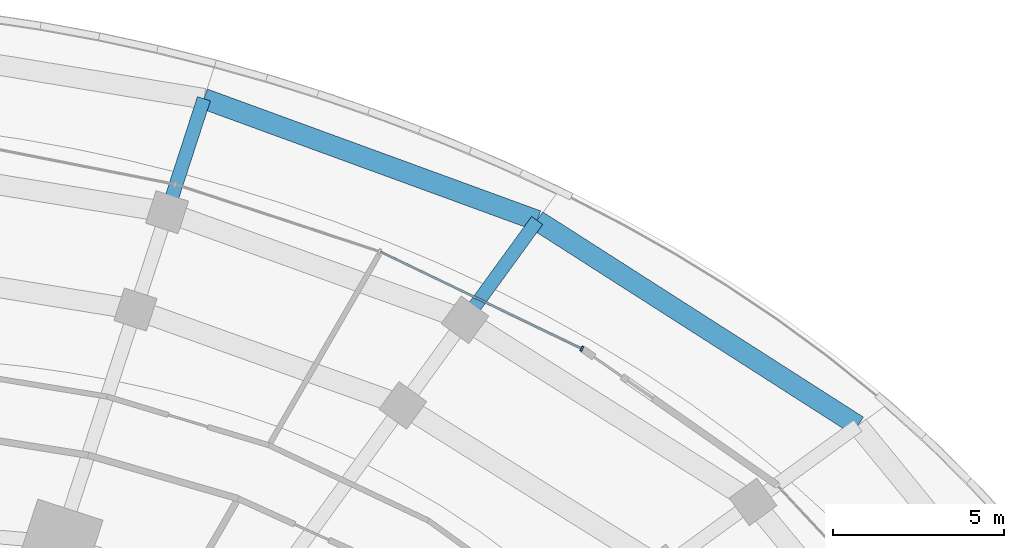
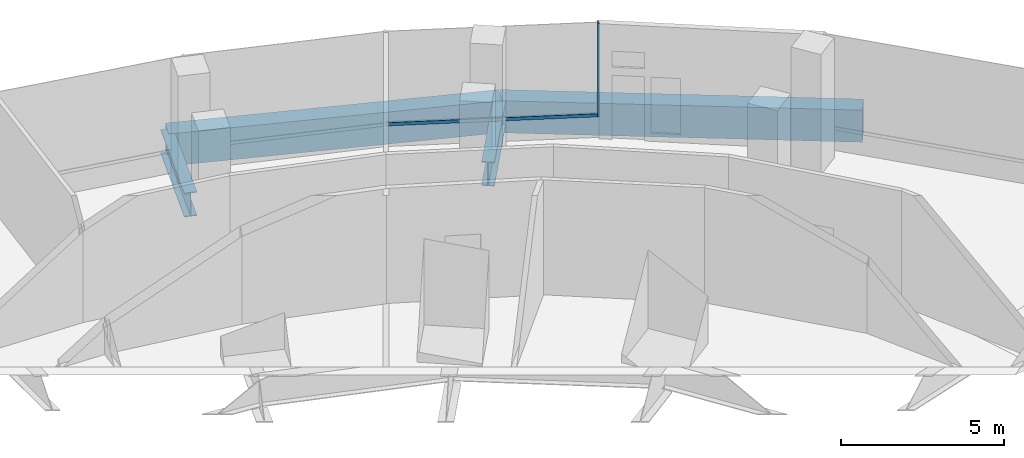
# One storey, part 13 of 27: 4 beams, 2 members, 1 element without a shape of its own.
"""IFC4 building model written with IfcOpenShell, lengths in metres."""

import ifcopenshell
import ifcopenshell.guid

model = None  # the IFC model being written
_history = None  # IfcOwnerHistory: only IFC2X3 demands one
_inside = {}  # id of a spatial element -> (the spatial element, [elements in it])
_under = {}  # id of a project, library or spatial element -> (it, [spatial elements below it])
_declared = {}  # id of a project -> (the project, [libraries it declares])
_typed = {}  # id of a type object -> (the type object, [elements of that type])
_made_of = {}  # id of a material, layer set ... -> (it, [elements and type objects made of it])


def new_model(schema):
    """Start an empty IFC model of exactly this schema.

    Asked for "IFC4X3", IfcOpenShell would pick the latest addendum, in which some entities
    have other attributes; the version numbers below select the first issue.
    IFC2X3 requires an IfcOwnerHistory on every rooted entity: one is made here for all.
    """
    global model, _history
    if schema == "IFC4X3":
        model = ifcopenshell.file(schema_version=(4, 3, 0, 0))
    else:
        model = ifcopenshell.file(schema=schema)
    _inside.clear()
    _under.clear()
    _declared.clear()
    _typed.clear()
    _made_of.clear()
    _history = None
    if model.schema == "IFC2X3":
        org = make("IfcOrganization", Name="unknown")
        user = make(
            "IfcPersonAndOrganization",
            ThePerson=make("IfcPerson", FamilyName="unknown"),
            TheOrganization=org,
        )
        app = make(
            "IfcApplication",
            ApplicationDeveloper=org,
            Version="unknown",
            ApplicationFullName="unknown",
            ApplicationIdentifier="unknown",
        )
        _history = make(
            "IfcOwnerHistory",
            OwningUser=user,
            OwningApplication=app,
            ChangeAction="ADDED",
            CreationDate=0,
        )
    return model


def make(cls, **values):
    """One entity of the class cls with the attributes given. An attribute that is None is left unset."""
    return model.create_entity(
        cls, **{name: value for name, value in values.items() if value is not None}
    )


def rooted(cls, **values):
    """An entity with a GlobalId (a new one), such as an element, a storey or a relation."""
    return make(cls, GlobalId=ifcopenshell.guid.new(), OwnerHistory=_history, **values)


def si_unit(unit_type, name, prefix=None):
    """IfcSIUnit, for example si_unit("LENGTHUNIT", "METRE", prefix="MILLI")."""
    return make("IfcSIUnit", UnitType=unit_type, Prefix=prefix, Name=name)


def assignment(units):
    """IfcUnitAssignment: the units of a project."""
    return None if units is None else make("IfcUnitAssignment", Units=units)


def point(xyz):
    """IfcCartesianPoint."""
    return None if xyz is None else make("IfcCartesianPoint", Coordinates=xyz)


def direction(xyz):
    """IfcDirection."""
    return None if xyz is None else make("IfcDirection", DirectionRatios=xyz)


def frame(location, z_axis=None, x_axis=None):
    """IfcAxis2Placement3D, a coordinate frame: its origin and axes. An axis left out is left unset."""
    return make(
        "IfcAxis2Placement3D",
        Location=point(location),
        Axis=direction(z_axis),
        RefDirection=direction(x_axis),
    )


def frame_2d(location, x_axis=None):
    """IfcAxis2Placement2D, a coordinate frame in the plane: its origin and x axis."""
    return make(
        "IfcAxis2Placement2D", Location=point(location), RefDirection=direction(x_axis)
    )


def origin():
    """The frame at (0, 0, 0) with its axes left unset."""
    return frame((0.0, 0.0, 0.0))


def origin_2d():
    """The frame at (0, 0) in the plane with its x axis left unset."""
    return frame_2d((0.0, 0.0))


def place(relative_to, where):
    """IfcLocalPlacement: puts the frame where relative to a parent placement (None: the world)."""
    return make(
        "IfcLocalPlacement", PlacementRelTo=relative_to, RelativePlacement=where
    )


def context(
    kind, dimensions, precision=None, world=None, true_north=None, identifier=None
):
    """IfcGeometricRepresentationContext, for example the 3D "Model" context."""
    return make(
        "IfcGeometricRepresentationContext",
        ContextIdentifier=identifier,
        ContextType=kind,
        CoordinateSpaceDimension=dimensions,
        Precision=precision,
        WorldCoordinateSystem=world,
        TrueNorth=true_north,
    )


def subcontext(parent, identifier, kind, view, scale=None):
    """IfcGeometricRepresentationSubContext, for example "Body" below "Model"."""
    return make(
        "IfcGeometricRepresentationSubContext",
        ContextIdentifier=identifier,
        ContextType=kind,
        ParentContext=parent,
        TargetScale=scale,
        TargetView=view,
    )


def project(units=None, contexts=None):
    """IfcProject with its units and contexts."""
    return rooted(
        "IfcProject",
        Name="project",
        RepresentationContexts=contexts,
        UnitsInContext=assignment(units),
    )


def spatial(cls, under=None, at=None, **own):
    """A site, building, storey or space (cls), placed at a placement, below another one or the project."""
    s = rooted(cls, ObjectPlacement=at, **own)
    if under is not None:
        _under.setdefault(under.id(), (under, []))[1].append(s)
    return s


def profile(cls, at=None, kind="AREA", **sizes):
    """A parametric profile (cls). Its sizes go by their IFC names, for example OverallWidth=200.0."""
    return make(cls, ProfileType=kind, Position=at, **sizes)


def rectangle(**sizes):
    """IfcRectangleProfileDef."""
    return profile("IfcRectangleProfileDef", **sizes)


def i_section(**sizes):
    """IfcIShapeProfileDef."""
    return profile("IfcIShapeProfileDef", **sizes)


def extrude(swept, where, along, depth):
    """IfcExtrudedAreaSolid: the profile swept, set in the frame where, extruded along a direction by depth."""
    return make(
        "IfcExtrudedAreaSolid",
        SweptArea=swept,
        Position=where,
        ExtrudedDirection=direction(along),
        Depth=depth,
    )


def shape(context_of_items, identifier, shape_type, items):
    """IfcShapeRepresentation: the items that make up one representation, for example the "Body"."""
    return make(
        "IfcShapeRepresentation",
        ContextOfItems=context_of_items,
        RepresentationIdentifier=identifier,
        RepresentationType=shape_type,
        Items=items,
    )


def material(Name=None, Category=None):
    """IfcMaterial."""
    return make("IfcMaterial", Name=Name, Category=Category)


def material_profile(
    of_material, cross_section, Name=None, Category=None, Priority=None
):
    """IfcMaterialProfile: a cross section and its material."""
    return make(
        "IfcMaterialProfile",
        Name=Name,
        Material=of_material,
        Profile=cross_section,
        Priority=Priority,
        Category=Category,
    )


def profile_set(profiles, Name=None, composite=None):
    """IfcMaterialProfileSet."""
    return make(
        "IfcMaterialProfileSet",
        Name=Name,
        MaterialProfiles=profiles,
        CompositeProfile=composite,
    )


def made_of(thing, what):
    """Note that an element or type object is made of a material, layer set ...; save() writes the relation."""
    if what is not None:
        _made_of.setdefault(what.id(), (what, []))[1].append(thing)
    return thing


def type_object(cls, material=None, **own):
    """A type object (cls), such as IfcWallType, which elements share."""
    return made_of(rooted(cls, **own), material)


def element(
    cls,
    number,
    at=None,
    inside=None,
    cuts=None,
    type_object=None,
    material=None,
    context=None,
    identifier="Body",
    shape_type=None,
    held_by="IfcProductDefinitionShape",
    body=None,
    shapes=None,
    **own,
):
    """One element of the class cls, such as IfcWall. Its Tag is "e" and its number.

    at: its placement. inside: the storey or other place that contains it. cuts: it is an
    opening in that element (IfcRelVoidsElement). A single representation is given by context,
    identifier, shape_type and body (its items); several are given by shapes. held_by: the class
    of the entity that holds the representations. save() writes the other relations.
    """
    e = rooted(cls, Tag="e%d" % number, ObjectPlacement=at, **own)
    if body is not None:
        shapes = [shape(context, identifier, shape_type, body)]
    if shapes is not None:
        e.Representation = make(held_by, Representations=shapes)
    if inside is not None:
        _inside.setdefault(inside.id(), (inside, []))[1].append(e)
    if cuts is not None:
        rooted(
            "IfcRelVoidsElement", RelatingBuildingElement=cuts, RelatedOpeningElement=e
        )
    if type_object is not None:
        _typed.setdefault(type_object.id(), (type_object, []))[1].append(e)
    return made_of(e, material)


def aggregate(whole, parts):
    """IfcRelAggregates: a whole, such as a stair, and the parts it consists of."""
    return rooted("IfcRelAggregates", RelatingObject=whole, RelatedObjects=parts)


def save(model, path):
    """Write the relations noted so far, then the file.

    IfcRelAggregates (storeys below a building ...), IfcRelContainedInSpatialStructure (elements
    in a storey), IfcRelDefinesByType, IfcRelAssociatesMaterial and IfcRelDeclares: one each for
    every whole, place, type object, material and project.
    """
    for whole, parts in _under.values():
        aggregate(whole, parts)
    for where, things in _inside.values():
        rooted(
            "IfcRelContainedInSpatialStructure",
            RelatedElements=things,
            RelatingStructure=where,
        )
    for kind, things in _typed.values():
        rooted("IfcRelDefinesByType", RelatedObjects=things, RelatingType=kind)
    for what, things in _made_of.values():
        rooted("IfcRelAssociatesMaterial", RelatedObjects=things, RelatingMaterial=what)
    for by, libraries in _declared.values():
        rooted("IfcRelDeclares", RelatingContext=by, RelatedDefinitions=libraries)
    model.write(path)


model = new_model("IFC4")

# Units and contexts
model_context = context("Model", 3, precision=1e-05, world=origin(), true_north=direction((0.0, 1.0)))
body_context = subcontext(model_context, "Body", "Model", "MODEL_VIEW")
ifc_project = project(units=[si_unit("LENGTHUNIT", "METRE"), si_unit("AREAUNIT", "SQUARE_METRE"), si_unit("VOLUMEUNIT", "CUBIC_METRE"), si_unit("PLANEANGLEUNIT", "RADIAN"), si_unit("MASSUNIT", "GRAM", prefix="KILO")], contexts=[model_context])

# Site, building, storey
site_placement = place(None, origin())
site = spatial("IfcSite", under=ifc_project, at=site_placement, CompositionType="ELEMENT")
building_placement = place(site_placement, origin())
building = spatial("IfcBuilding", under=site, at=building_placement, Name="Marramba Exchange Tower", CompositionType="ELEMENT")
storey_placement = place(building_placement, frame((0.0, 0.0, 10.60009765625)))
storey = spatial("IfcBuildingStorey", under=building, at=storey_placement, Name="L02", CompositionType="ELEMENT", Elevation=10.60009765625)

# Beams
ifc_material_1 = material(Name="Concrete N50", Category="concrete")
ifc_material_profile_1 = material_profile(ifc_material_1, rectangle(XDim=0.60009765625, YDim=1.199951171875, at=origin_2d()), Name="RC 600x1200")
ifc_profile_set_1 = profile_set([ifc_material_profile_1], Name="Concrete N50")
beam_type_1 = type_object("IfcBeamType", Name="Edge beam RC 600x1200 N50", PredefinedType="SPANDREL", material=ifc_profile_set_1)
beam_1_placement = place(storey_placement, frame((29.057373046875, 21.111328125, -0.85009765625), z_axis=(-0.84235792629, 0.538918476225, 0.0), x_axis=(-0.538918476225, -0.84235792629, 0.0)))
element("IfcBeam", 1, at=beam_1_placement, inside=storey, type_object=beam_type_1, Name="Edge beam L02 P1C03", PredefinedType="SPANDREL", context=body_context, shape_type="SweptSolid", body=[
    extrude(rectangle(XDim=0.60009765625, YDim=1.199951171875, at=origin_2d()), origin(), (0.0, 0.0, 1.0), 11.118408203125),
])
beam_2_placement = place(storey_placement, frame((19.691650390625, 27.103271484375, -0.85009765625), z_axis=(-0.939206472346, 0.343352883057, 0.0), x_axis=(-0.343352883057, -0.939206472346, 0.0)))
element("IfcBeam", 2, at=beam_2_placement, inside=storey, type_object=beam_type_1, Name="Edge beam L02 P1C04", PredefinedType="SPANDREL", context=body_context, shape_type="SweptSolid", body=[
    extrude(rectangle(XDim=0.60009765625, YDim=1.199951171875, at=origin_2d()), origin(), (0.0, 0.0, 1.0), 10.359375),
])

# Curtain wall, members
ifc_material_2 = material(Name="Aluminium framing, bronze anodised", Category="aluminium")
curtain_wall_type = type_object("IfcCurtainWallType", Name="Podium ribbon curtain wall", PredefinedType="USERDEFINED", material=ifc_material_2)
curtain_wall_placement = place(storey_placement, origin())
curtain_wall = element("IfcCurtainWall", 3, at=curtain_wall_placement, inside=storey, type_object=curtain_wall_type, Name="Curtain wall CW2 L02 F05", ObjectType="RIBBON CURTAIN WALL", PredefinedType="USERDEFINED")
ifc_material_3 = material(Name="Aluminium mullion, bronze anodised", Category="aluminium")
ifc_material_profile_2 = material_profile(ifc_material_3, rectangle(XDim=0.159912109375, YDim=0.06005859375, at=origin_2d()), Name="CW2 mullion 60x160")
ifc_profile_set_2 = profile_set([ifc_material_profile_2], Name="Aluminium mullion, bronze anodised")
member_type_1 = type_object("IfcMemberType", Name="Podium ribbon curtain wall mullion", PredefinedType="MULLION", material=ifc_profile_set_2)
member_1_placement = place(storey_placement, frame((20.995361328125, 23.36083984375, 0.7998046875), z_axis=(0.0, 0.0, 1.0), x_axis=(-0.433910456929, -0.900956000795, 0.0)))
member_1 = element("IfcMember", 4, at=member_1_placement, type_object=member_type_1, Name="CW2 mullion 1", PredefinedType="MULLION", context=body_context, shape_type="SweptSolid", body=[
    extrude(rectangle(XDim=0.159912109375, YDim=0.06005859375, at=origin_2d()), origin(), (0.0, 0.0, 1.0), 3.5),
])
ifc_material_4 = material(Name="Aluminium transom, bronze anodised", Category="aluminium")
ifc_material_profile_3 = material_profile(ifc_material_4, rectangle(XDim=0.06005859375, YDim=0.1201171875, at=origin_2d()), Name="CW2 transom 60x120")
ifc_profile_set_3 = profile_set([ifc_material_profile_3], Name="Aluminium transom, bronze anodised")
member_type_2 = type_object("IfcMemberType", Name="Podium ribbon curtain wall transom", PredefinedType="USERDEFINED", material=ifc_profile_set_3)
member_2_placement = place(storey_placement, frame((20.96826171875, 23.373779296875, 0.829833984375), z_axis=(-0.900957010891, 0.433908359594, 0.0), x_axis=(-0.433908359594, -0.900957010891, 0.0)))
member_2 = element("IfcMember", 5, at=member_2_placement, type_object=member_type_2, Name="CW2 sill transom", ObjectType="TRANSOM", PredefinedType="USERDEFINED", context=body_context, shape_type="SweptSolid", body=[
    extrude(rectangle(XDim=0.06005859375, YDim=0.1201171875, at=origin_2d()), origin(), (0.0, 0.0, 1.0), 6.490234375),
])
aggregate(curtain_wall, [member_1, member_2])

# Beams
ifc_material_5 = material(Name="Steel AS/NZS 3679.2 grade 300", Category="steel")
ifc_material_profile_4 = material_profile(ifc_material_5, i_section(OverallWidth=0.39990234375, OverallDepth=0.89990234375, WebThickness=0.01611328125, FlangeThickness=0.031982421875, at=origin_2d()), Name="900WB282")
ifc_profile_set_4 = profile_set([ifc_material_profile_4], Name="Steel AS/NZS 3679.2 grade 300")
beam_type_2 = type_object("IfcBeamType", Name="Radial girder 900WB282", PredefinedType="BEAM", material=ifc_profile_set_4)
beam_3_placement = place(storey_placement, frame((19.691650390625, 27.103271484375, -0.7001953125), z_axis=(-0.587766567315, -0.809030569476, 0.0), x_axis=(0.809030569476, -0.587766567315, 0.0)))
element("IfcBeam", 6, at=beam_3_placement, inside=storey, type_object=beam_type_2, Name="Radial girder L02 P1C04", PredefinedType="BEAM", context=body_context, shape_type="SweptSolid", body=[
    extrude(i_section(OverallWidth=0.39990234375, OverallDepth=0.89990234375, WebThickness=0.01611328125, FlangeThickness=0.031982421875, at=origin_2d()), origin(), (0.0, 0.0, 1.0), 3.583740234375),
])
beam_4_placement = place(storey_placement, frame((9.962158203125, 30.66015625, -0.7001953125), z_axis=(-0.309027432175, -0.951053124785, 0.0), x_axis=(0.951053124785, -0.309027432175, 0.0)))
element("IfcBeam", 7, at=beam_4_placement, inside=storey, type_object=beam_type_2, Name="Radial girder L02 P1C05", PredefinedType="BEAM", context=body_context, shape_type="SweptSolid", body=[
    extrude(i_section(OverallWidth=0.39990234375, OverallDepth=0.89990234375, WebThickness=0.01611328125, FlangeThickness=0.031982421875, at=origin_2d()), origin(), (0.0, 0.0, 1.0), 3.483154296875),
])

save(model, "model.ifc")
